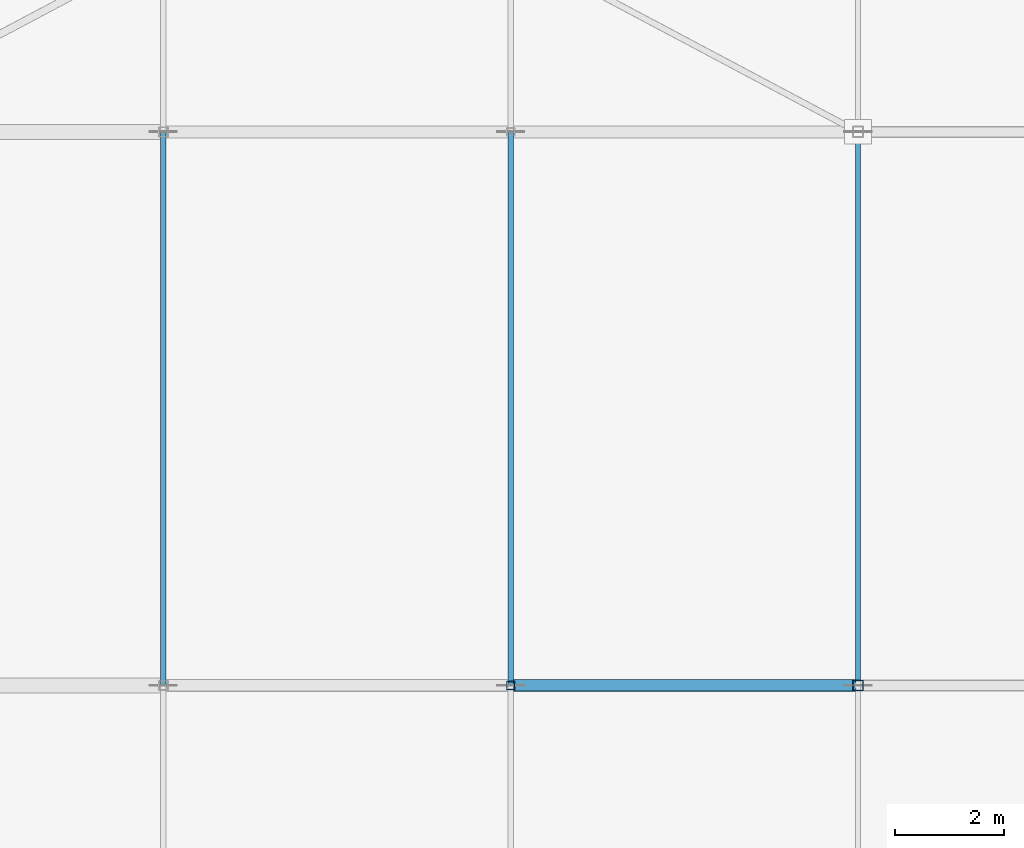
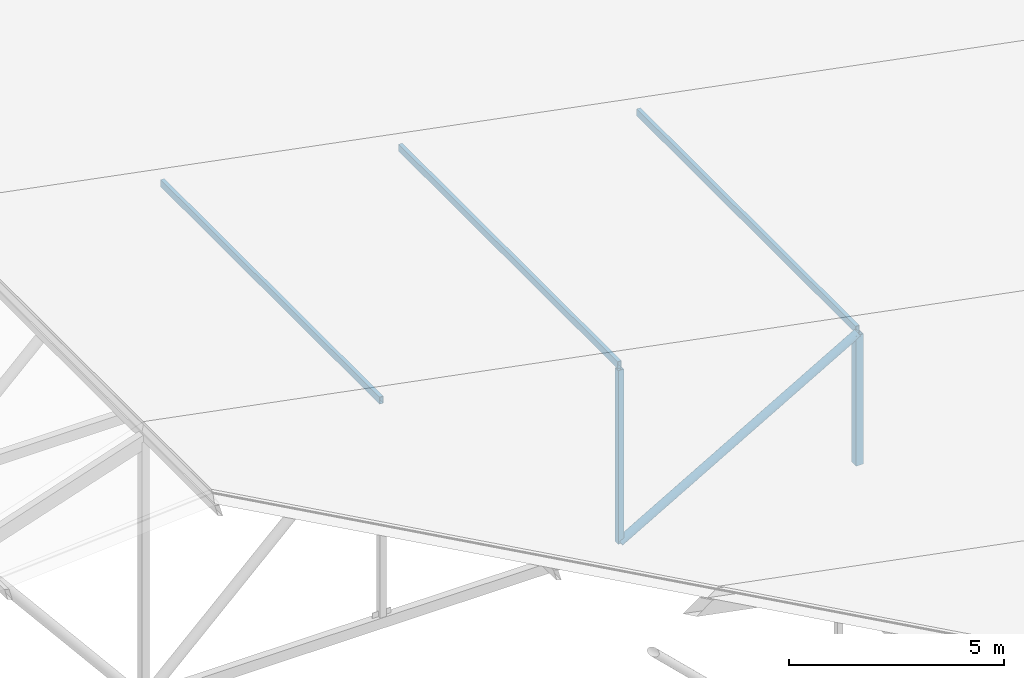
# One storey, part 68 of 200: 6 members.
"""IFC4 building model written with IfcOpenShell, lengths in metres."""

from ifc_helpers import new_model, si_unit, direction, frame, origin, origin_2d, place, context, subcontext, project, spatial, hollow_rectangle, hollow_circle, extrude, material, material_profile, profile_set, type_object, element, save


model = new_model("IFC4")

# Units and contexts
model_context = context("Model", 3, precision=1e-05, world=origin(), true_north=direction((0.0, 1.0)))
body_context = subcontext(model_context, "Body", "Model", "MODEL_VIEW")
ifc_project = project(units=[si_unit("LENGTHUNIT", "METRE"), si_unit("AREAUNIT", "SQUARE_METRE"), si_unit("VOLUMEUNIT", "CUBIC_METRE"), si_unit("PLANEANGLEUNIT", "RADIAN"), si_unit("MASSUNIT", "GRAM", prefix="KILO")], contexts=[model_context])

# Site, building, storey
site_placement = place(None, origin())
site = spatial("IfcSite", under=ifc_project, at=site_placement, CompositionType="ELEMENT")
building_placement = place(site_placement, origin())
building = spatial("IfcBuilding", under=site, at=building_placement, Name="Vondelvale Polytechnic", CompositionType="ELEMENT")
storey_placement = place(building_placement, frame((0.0, 0.0, 13.800048828125)))
storey = spatial("IfcBuildingStorey", under=building, at=storey_placement, Name="L03", CompositionType="ELEMENT", Elevation=13.800048828125)

# Members
ifc_material = material(Name="Steel C350L0 (fy = 350 MPa)", Category="steel")
ifc_material_profile_1 = material_profile(ifc_material, hollow_rectangle(XDim=0.10009765625, YDim=0.199951171875, WallThickness=0.006103515625, at=origin_2d()), Name="200x100x6.0RHS")
ifc_profile_set_1 = profile_set([ifc_material_profile_1], Name="Steel C350L0 (fy = 350 MPa)")
member_type_1 = type_object("IfcMemberType", Name="PURLIN RHS200", PredefinedType="PURLIN", material=ifc_profile_set_1)
for number, where, z_axis, x_axis, name in (
    (1, (16.0, 102.0, 5.847900390625), (0.0, 1.0, 0.0), (-1.0, 0.0, 0.0), "Workshop roof purlin bay 6"),
    (2, (22.39990234375, 102.0, 4.614501953125), (0.0, 1.0, 0.0), (-1.0, 0.0, 0.0), "Workshop roof purlin bay 6"),
    (3, (28.800048828125, 102.0, 3.38134765625), (0.0, 1.0, 0.0), (-1.0, 0.0, 0.0), "Workshop roof purlin bay 6"),
):
    element("IfcMember", number, at=place(storey_placement, frame(where, z_axis=z_axis, x_axis=x_axis)), inside=storey, type_object=member_type_1, Name=name, PredefinedType="PURLIN", context=body_context, shape_type="SweptSolid", body=[
        extrude(hollow_rectangle(XDim=0.10009765625, YDim=0.199951171875, WallThickness=0.006103515625, at=origin_2d()), origin(), (0.0, 0.0, 1.0), 10.199951171875),
    ])
ifc_material_profile_2 = material_profile(ifc_material, hollow_circle(Radius=0.109619140625, WallThickness=0.00830078125, at=origin_2d()), Name="219.1x8.2CHS")
ifc_profile_set_2 = profile_set([ifc_material_profile_2], Name="Steel C350L0 (fy = 350 MPa)")
member_type_2 = type_object("IfcMemberType", Name="ROOF TRUSS BRACE 219CHS", PredefinedType="BRACE", material=ifc_profile_set_2)
member_1_placement = place(storey_placement, frame((22.39990234375, 102.0, -0.420166015625), z_axis=(0.865728347066, 0.0, 0.50051416472), x_axis=(0.0, 1.0, 0.0)))
element("IfcMember", 4, at=member_1_placement, inside=storey, type_object=member_type_2, Name="ROOF TRUSS TR-06 web diagonal 5", PredefinedType="BRACE", context=body_context, shape_type="SweptSolid", body=[
    extrude(hollow_circle(Radius=0.109619140625, WallThickness=0.00830078125, at=origin_2d()), origin(), (0.0, 0.0, 1.0), 7.392822265625),
])
ifc_material_profile_3 = material_profile(ifc_material, hollow_rectangle(XDim=0.14990234375, YDim=0.14990234375, WallThickness=0.006103515625, at=origin_2d()), Name="150x150x6.0SHS")
ifc_profile_set_3 = profile_set([ifc_material_profile_3], Name="Steel C350L0 (fy = 350 MPa)")
member_type_3 = type_object("IfcMemberType", Name="ROOF TRUSS POST 150SHS", PredefinedType="POST", material=ifc_profile_set_3)
member_2_placement = place(storey_placement, frame((22.39990234375, 102.0, -0.420166015625), z_axis=(0.0, 0.0, 1.0), x_axis=(1.0, 0.0, 0.0)))
element("IfcMember", 5, at=member_2_placement, inside=storey, type_object=member_type_3, Name="ROOF TRUSS TR-06 vertical post 4", PredefinedType="POST", context=body_context, shape_type="SweptSolid", body=[
    extrude(hollow_rectangle(XDim=0.14990234375, YDim=0.14990234375, WallThickness=0.006103515625, at=origin_2d()), origin(), (0.0, 0.0, 1.0), 4.933349609375),
])
ifc_material_profile_4 = material_profile(ifc_material, hollow_rectangle(XDim=0.199951171875, YDim=0.199951171875, WallThickness=0.009033203125, at=origin_2d()), Name="200x200x9.0SHS")
ifc_profile_set_4 = profile_set([ifc_material_profile_4], Name="Steel C350L0 (fy = 350 MPa)")
member_type_4 = type_object("IfcMemberType", Name="ROOF TRUSS POST 200SHS", PredefinedType="POST", material=ifc_profile_set_4)
member_3_placement = place(storey_placement, frame((28.800048828125, 102.0, -0.420166015625), z_axis=(0.0, 0.0, 1.0), x_axis=(1.0, 0.0, 0.0)))
element("IfcMember", 6, at=member_3_placement, inside=storey, type_object=member_type_4, Name="ROOF TRUSS TR-06 vertical post 5", PredefinedType="POST", context=body_context, shape_type="SweptSolid", body=[
    extrude(hollow_rectangle(XDim=0.199951171875, YDim=0.199951171875, WallThickness=0.009033203125, at=origin_2d()), origin(), (0.0, 0.0, 1.0), 3.7001953125),
])

save(model, "model.ifc")
